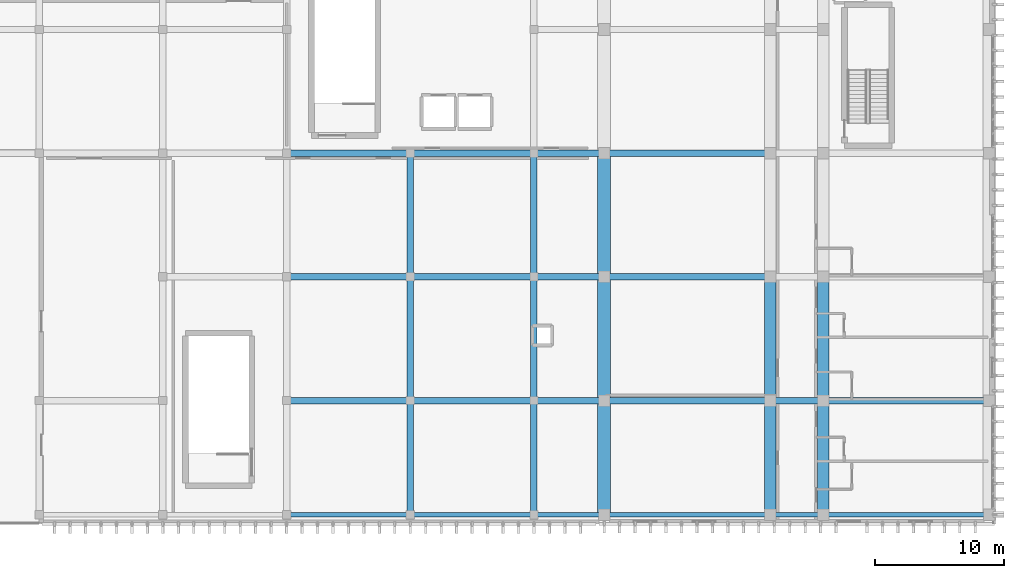
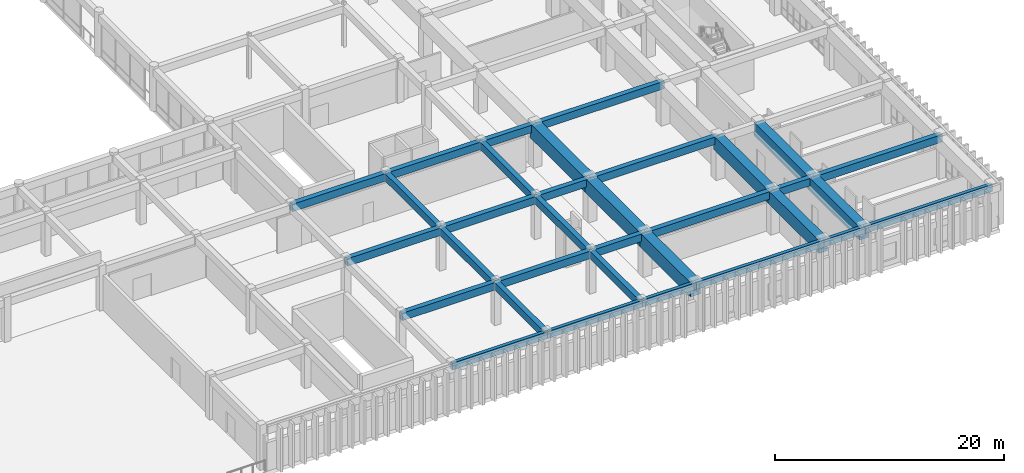
# One storey, part 32 of 101: 33 beams.
"""IFC4 building model written with IfcOpenShell, lengths in metres."""

from ifc_helpers import new_model, si_unit, direction, frame, origin, origin_2d, place, context, subcontext, project, spatial, rectangle, extrude, material, material_profile, profile_set, type_object, element, save


model = new_model("IFC4")

# Units and contexts
model_context = context("Model", 3, precision=1e-05, world=origin(), true_north=direction((0.0, 1.0)))
body_context = subcontext(model_context, "Body", "Model", "MODEL_VIEW")
ifc_project = project(units=[si_unit("LENGTHUNIT", "METRE"), si_unit("AREAUNIT", "SQUARE_METRE"), si_unit("VOLUMEUNIT", "CUBIC_METRE"), si_unit("PLANEANGLEUNIT", "RADIAN"), si_unit("MASSUNIT", "GRAM", prefix="KILO")], contexts=[model_context])

# Site, building, storey
site_placement = place(None, origin())
site = spatial("IfcSite", under=ifc_project, at=site_placement, CompositionType="ELEMENT")
building_placement = place(site_placement, origin())
building = spatial("IfcBuilding", under=site, at=building_placement, Name="Nakhvara Creek Congress Hotel", CompositionType="ELEMENT")
storey_placement = place(building_placement, frame((0.0, 0.0, 16.199951171875)))
storey = spatial("IfcBuildingStorey", under=building, at=storey_placement, Name="L03", CompositionType="ELEMENT", Elevation=16.199951171875)

# Beams
ifc_material_1 = material(Name="Concrete C40/50", Category="concrete")
ifc_material_profile_1 = material_profile(ifc_material_1, rectangle(XDim=0.5, YDim=0.800048828125, at=origin_2d()), Name="RC-BM 500x800", Category="LoadBearing")
ifc_profile_set_1 = profile_set([ifc_material_profile_1], Name="Concrete C40/50")
beam_type_1 = type_object("IfcBeamType", Name="BM-RC-500X800", PredefinedType="BEAM", material=ifc_profile_set_1)
for number, where, z_axis, x_axis, name in (
    (1, (124.800048828125, 9.60009765625, 4.14013671875), (1.0, 0.0, 0.0), (0.0, 1.0, 0.0), "Beam B03-L03-1767"),
    (2, (124.800048828125, 19.199951171875, 4.14013671875), (1.0, 0.0, 0.0), (0.0, 1.0, 0.0), "Beam B03-L03-1769"),
    (3, (124.800048828125, 28.800048828125, 4.14013671875), (1.0, 0.0, 0.0), (0.0, 1.0, 0.0), "Beam B03-L03-1771"),
):
    element("IfcBeam", number, at=place(storey_placement, frame(where, z_axis=z_axis, x_axis=x_axis)), inside=storey, type_object=beam_type_1, Name=name, PredefinedType="BEAM", context=body_context, shape_type="SweptSolid", body=[
        extrude(rectangle(XDim=0.5, YDim=0.800048828125, at=origin_2d()), origin(), (0.0, 0.0, 1.0), 9.599853515625),
    ])
beam_1_placement = place(storey_placement, frame((134.39990234375, 0.75, 4.14013671875), z_axis=(0.0, 1.0, 0.0), x_axis=(-1.0, 0.0, 0.0)))
element("IfcBeam", 4, at=beam_1_placement, inside=storey, type_object=beam_type_1, Name="Beam B03-L03-1785", PredefinedType="BEAM", context=body_context, shape_type="SweptSolid", body=[
    extrude(rectangle(XDim=0.5, YDim=0.800048828125, at=origin_2d()), origin(), (0.0, 0.0, 1.0), 8.85009765625),
])
beam_2_placement = place(storey_placement, frame((134.39990234375, 9.60009765625, 4.14013671875), z_axis=(0.0, 1.0, 0.0), x_axis=(-1.0, 0.0, 0.0)))
element("IfcBeam", 5, at=beam_2_placement, inside=storey, type_object=beam_type_1, Name="Beam B03-L03-1787", PredefinedType="BEAM", context=body_context, shape_type="SweptSolid", body=[
    extrude(rectangle(XDim=0.5, YDim=0.800048828125, at=origin_2d()), origin(), (0.0, 0.0, 1.0), 9.599853515625),
])
for number, where, z_axis, x_axis, name in (
    (6, (134.39990234375, 9.60009765625, 4.14013671875), (1.0, 0.0, 0.0), (0.0, 1.0, 0.0), "Beam B03-L03-1788"),
    (7, (134.39990234375, 19.199951171875, 4.14013671875), (0.0, 1.0, 0.0), (-1.0, 0.0, 0.0), "Beam B03-L03-1789"),
    (8, (134.39990234375, 19.199951171875, 4.14013671875), (1.0, 0.0, 0.0), (0.0, 1.0, 0.0), "Beam B03-L03-1790"),
    (9, (134.39990234375, 28.800048828125, 4.14013671875), (1.0, 0.0, 0.0), (0.0, 1.0, 0.0), "Beam B03-L03-1791"),
):
    element("IfcBeam", number, at=place(storey_placement, frame(where, z_axis=z_axis, x_axis=x_axis)), inside=storey, type_object=beam_type_1, Name=name, PredefinedType="BEAM", context=body_context, shape_type="SweptSolid", body=[
        extrude(rectangle(XDim=0.5, YDim=0.800048828125, at=origin_2d()), origin(), (0.0, 0.0, 1.0), 9.60009765625),
    ])
beam_3_placement = place(storey_placement, frame((144.0, 0.75, 4.14013671875), z_axis=(0.0, 1.0, 0.0), x_axis=(-1.0, 0.0, 0.0)))
element("IfcBeam", 10, at=beam_3_placement, inside=storey, type_object=beam_type_1, Name="Beam B03-L03-1801", PredefinedType="BEAM", context=body_context, shape_type="SweptSolid", body=[
    extrude(rectangle(XDim=0.5, YDim=0.800048828125, at=origin_2d()), origin(), (0.0, 0.0, 1.0), 8.85009765625),
])
beam_4_placement = place(storey_placement, frame((144.0, 9.60009765625, 4.14013671875), z_axis=(0.0, 1.0, 0.0), x_axis=(-1.0, 0.0, 0.0)))
element("IfcBeam", 11, at=beam_4_placement, inside=storey, type_object=beam_type_1, Name="Beam B03-L03-1803", PredefinedType="BEAM", context=body_context, shape_type="SweptSolid", body=[
    extrude(rectangle(XDim=0.5, YDim=0.800048828125, at=origin_2d()), origin(), (0.0, 0.0, 1.0), 9.599853515625),
])
beam_5_placement = place(storey_placement, frame((144.0, 9.60009765625, 4.14013671875), z_axis=(1.0, 0.0, 0.0), x_axis=(0.0, 1.0, 0.0)))
element("IfcBeam", 12, at=beam_5_placement, inside=storey, type_object=beam_type_1, Name="Beam B03-L03-1804", PredefinedType="BEAM", context=body_context, shape_type="SweptSolid", body=[
    extrude(rectangle(XDim=0.5, YDim=0.800048828125, at=origin_2d()), origin(), (0.0, 0.0, 1.0), 5.449951171875),
])
beam_6_placement = place(storey_placement, frame((144.0, 19.199951171875, 4.14013671875), z_axis=(0.0, 1.0, 0.0), x_axis=(-1.0, 0.0, 0.0)))
element("IfcBeam", 13, at=beam_6_placement, inside=storey, type_object=beam_type_1, Name="Beam B03-L03-1805", PredefinedType="BEAM", context=body_context, shape_type="SweptSolid", body=[
    extrude(rectangle(XDim=0.5, YDim=0.800048828125, at=origin_2d()), origin(), (0.0, 0.0, 1.0), 9.60009765625),
])
for number, where, z_axis, x_axis, name in (
    (14, (144.0, 19.199951171875, 4.14013671875), (1.0, 0.0, 0.0), (0.0, 1.0, 0.0), "Beam B03-L03-1806"),
    (15, (144.0, 28.800048828125, 4.14013671875), (1.0, 0.0, 0.0), (0.0, 1.0, 0.0), "Beam B03-L03-1808"),
):
    element("IfcBeam", number, at=place(storey_placement, frame(where, z_axis=z_axis, x_axis=x_axis)), inside=storey, type_object=beam_type_1, Name=name, PredefinedType="BEAM", context=body_context, shape_type="SweptSolid", body=[
        extrude(rectangle(XDim=0.5, YDim=0.800048828125, at=origin_2d()), origin(), (0.0, 0.0, 1.0), 5.449951171875),
    ])
for number, where, z_axis, x_axis, name in (
    (16, (149.449951171875, 9.60009765625, 4.14013671875), (1.0, 0.0, 0.0), (0.0, 1.0, 0.0), "Beam B03-L03-1822"),
    (17, (149.449951171875, 19.199951171875, 4.14013671875), (1.0, 0.0, 0.0), (0.0, 1.0, 0.0), "Beam B03-L03-1824"),
    (18, (149.449951171875, 28.800048828125, 4.14013671875), (1.0, 0.0, 0.0), (0.0, 1.0, 0.0), "Beam B03-L03-1826"),
):
    element("IfcBeam", number, at=place(storey_placement, frame(where, z_axis=z_axis, x_axis=x_axis)), inside=storey, type_object=beam_type_1, Name=name, PredefinedType="BEAM", context=body_context, shape_type="SweptSolid", body=[
        extrude(rectangle(XDim=0.5, YDim=0.800048828125, at=origin_2d()), origin(), (0.0, 0.0, 1.0), 12.900146484375),
    ])
beam_7_placement = place(storey_placement, frame((162.35009765625, 9.60009765625, 4.14013671875), z_axis=(1.0, 0.0, 0.0), x_axis=(0.0, 1.0, 0.0)))
element("IfcBeam", 19, at=beam_7_placement, inside=storey, type_object=beam_type_1, Name="Beam B03-L03-1847", PredefinedType="BEAM", context=body_context, shape_type="SweptSolid", body=[
    extrude(rectangle(XDim=0.5, YDim=0.800048828125, at=origin_2d()), origin(), (0.0, 0.0, 1.0), 4.099853515625),
])
beam_8_placement = place(storey_placement, frame((166.449951171875, 9.60009765625, 4.14013671875), z_axis=(1.0, 0.0, 0.0), x_axis=(0.0, 1.0, 0.0)))
element("IfcBeam", 20, at=beam_8_placement, inside=storey, type_object=beam_type_1, Name="Beam B03-L03-1874", PredefinedType="BEAM", context=body_context, shape_type="SweptSolid", body=[
    extrude(rectangle(XDim=0.5, YDim=0.800048828125, at=origin_2d()), origin(), (0.0, 0.0, 1.0), 12.900146484375),
])
ifc_material_profile_2 = material_profile(ifc_material_1, rectangle(XDim=0.35009765625, YDim=0.75, at=origin_2d()), Name="RC-SPANDREL 350x750", Category="LoadBearing")
ifc_profile_set_2 = profile_set([ifc_material_profile_2], Name="Concrete C40/50")
beam_type_2 = type_object("IfcBeamType", Name="BM-SPN-350X750", PredefinedType="SPANDREL", material=ifc_profile_set_2)
beam_9_placement = place(storey_placement, frame((124.800048828125, 0.75, 4.1650390625), z_axis=(1.0, 0.0, 0.0), x_axis=(0.0, 1.0, 0.0)))
element("IfcBeam", 21, at=beam_9_placement, inside=storey, type_object=beam_type_2, Name="Beam SP1-L03-1765", PredefinedType="SPANDREL", context=body_context, shape_type="SweptSolid", body=[
    extrude(rectangle(XDim=0.35009765625, YDim=0.75, at=origin_2d()), origin(), (0.0, 0.0, 1.0), 9.599853515625),
])
beam_10_placement = place(storey_placement, frame((134.39990234375, 0.75, 4.1650390625), z_axis=(1.0, 0.0, 0.0), x_axis=(0.0, 1.0, 0.0)))
element("IfcBeam", 22, at=beam_10_placement, inside=storey, type_object=beam_type_2, Name="Beam SP1-L03-1786", PredefinedType="SPANDREL", context=body_context, shape_type="SweptSolid", body=[
    extrude(rectangle(XDim=0.35009765625, YDim=0.75, at=origin_2d()), origin(), (0.0, 0.0, 1.0), 9.60009765625),
])
beam_11_placement = place(storey_placement, frame((144.0, 0.75, 4.1650390625), z_axis=(1.0, 0.0, 0.0), x_axis=(0.0, 1.0, 0.0)))
element("IfcBeam", 23, at=beam_11_placement, inside=storey, type_object=beam_type_2, Name="Beam SP1-L03-1802", PredefinedType="SPANDREL", context=body_context, shape_type="SweptSolid", body=[
    extrude(rectangle(XDim=0.35009765625, YDim=0.75, at=origin_2d()), origin(), (0.0, 0.0, 1.0), 5.449951171875),
])
beam_12_placement = place(storey_placement, frame((149.449951171875, 0.75, 4.1650390625), z_axis=(1.0, 0.0, 0.0), x_axis=(0.0, 1.0, 0.0)))
element("IfcBeam", 24, at=beam_12_placement, inside=storey, type_object=beam_type_2, Name="Beam SP1-L03-1820", PredefinedType="SPANDREL", context=body_context, shape_type="SweptSolid", body=[
    extrude(rectangle(XDim=0.35009765625, YDim=0.75, at=origin_2d()), origin(), (0.0, 0.0, 1.0), 12.900146484375),
])
beam_13_placement = place(storey_placement, frame((162.35009765625, 0.75, 4.1650390625), z_axis=(1.0, 0.0, 0.0), x_axis=(0.0, 1.0, 0.0)))
element("IfcBeam", 25, at=beam_13_placement, inside=storey, type_object=beam_type_2, Name="Beam SP1-L03-1845", PredefinedType="SPANDREL", context=body_context, shape_type="SweptSolid", body=[
    extrude(rectangle(XDim=0.35009765625, YDim=0.75, at=origin_2d()), origin(), (0.0, 0.0, 1.0), 4.099853515625),
])
beam_14_placement = place(storey_placement, frame((166.449951171875, 0.75, 4.1650390625), z_axis=(1.0, 0.0, 0.0), x_axis=(0.0, 1.0, 0.0)))
element("IfcBeam", 26, at=beam_14_placement, inside=storey, type_object=beam_type_2, Name="Beam SP1-L03-1872", PredefinedType="SPANDREL", context=body_context, shape_type="SweptSolid", body=[
    extrude(rectangle(XDim=0.35009765625, YDim=0.75, at=origin_2d()), origin(), (0.0, 0.0, 1.0), 12.900146484375),
])
ifc_material_2 = material(Name="Concrete C50/60", Category="concrete")
ifc_material_profile_3 = material_profile(ifc_material_2, rectangle(XDim=0.89990234375, YDim=1.39990234375, at=origin_2d()), Name="RC-TG 900x1400", Category="LoadBearing")
ifc_profile_set_3 = profile_set([ifc_material_profile_3], Name="Concrete C50/60")
beam_type_3 = type_object("IfcBeamType", Name="BM-TG1-1400", PredefinedType="BEAM", material=ifc_profile_set_3)
beam_15_placement = place(storey_placement, frame((162.35009765625, 0.75, 3.840087890625), z_axis=(0.0, 1.0, 0.0), x_axis=(-1.0, 0.0, 0.0)))
element("IfcBeam", 27, at=beam_15_placement, inside=storey, type_object=beam_type_3, Name="Transfer Girder TG1-L03-1844", PredefinedType="BEAM", context=body_context, shape_type="SweptSolid", body=[
    extrude(rectangle(XDim=0.89990234375, YDim=1.39990234375, at=origin_2d()), origin(), (0.0, 0.0, 1.0), 8.85009765625),
])
beam_16_placement = place(storey_placement, frame((162.35009765625, 9.60009765625, 3.840087890625), z_axis=(0.0, 1.0, 0.0), x_axis=(-1.0, 0.0, 0.0)))
element("IfcBeam", 28, at=beam_16_placement, inside=storey, type_object=beam_type_3, Name="Transfer Girder TG1-L03-1846", PredefinedType="BEAM", context=body_context, shape_type="SweptSolid", body=[
    extrude(rectangle(XDim=0.89990234375, YDim=1.39990234375, at=origin_2d()), origin(), (0.0, 0.0, 1.0), 9.599853515625),
])
beam_17_placement = place(storey_placement, frame((166.449951171875, 0.75, 3.840087890625), z_axis=(0.0, 1.0, 0.0), x_axis=(-1.0, 0.0, 0.0)))
element("IfcBeam", 29, at=beam_17_placement, inside=storey, type_object=beam_type_3, Name="Transfer Girder TG1-L03-1871", PredefinedType="BEAM", context=body_context, shape_type="SweptSolid", body=[
    extrude(rectangle(XDim=0.89990234375, YDim=1.39990234375, at=origin_2d()), origin(), (0.0, 0.0, 1.0), 8.85009765625),
])
beam_18_placement = place(storey_placement, frame((166.449951171875, 9.60009765625, 3.840087890625), z_axis=(0.0, 1.0, 0.0), x_axis=(-1.0, 0.0, 0.0)))
element("IfcBeam", 30, at=beam_18_placement, inside=storey, type_object=beam_type_3, Name="Transfer Girder TG1-L03-1873", PredefinedType="BEAM", context=body_context, shape_type="SweptSolid", body=[
    extrude(rectangle(XDim=0.89990234375, YDim=1.39990234375, at=origin_2d()), origin(), (0.0, 0.0, 1.0), 9.599853515625),
])
ifc_material_profile_4 = material_profile(ifc_material_2, rectangle(XDim=1.0, YDim=1.5, at=origin_2d()), Name="RC-TG 1000x1500", Category="LoadBearing")
ifc_profile_set_4 = profile_set([ifc_material_profile_4], Name="Concrete C50/60")
beam_type_4 = type_object("IfcBeamType", Name="BM-TG2-1500", PredefinedType="BEAM", material=ifc_profile_set_4)
beam_19_placement = place(storey_placement, frame((149.449951171875, 0.75, 3.7900390625), z_axis=(0.0, 1.0, 0.0), x_axis=(-1.0, 0.0, 0.0)))
element("IfcBeam", 31, at=beam_19_placement, inside=storey, type_object=beam_type_4, Name="Transfer Girder TG2-L03-1819", PredefinedType="BEAM", context=body_context, shape_type="SweptSolid", body=[
    extrude(rectangle(XDim=1.0, YDim=1.5, at=origin_2d()), origin(), (0.0, 0.0, 1.0), 8.85009765625),
])
beam_20_placement = place(storey_placement, frame((149.449951171875, 9.60009765625, 3.7900390625), z_axis=(0.0, 1.0, 0.0), x_axis=(-1.0, 0.0, 0.0)))
element("IfcBeam", 32, at=beam_20_placement, inside=storey, type_object=beam_type_4, Name="Transfer Girder TG2-L03-1821", PredefinedType="BEAM", context=body_context, shape_type="SweptSolid", body=[
    extrude(rectangle(XDim=1.0, YDim=1.5, at=origin_2d()), origin(), (0.0, 0.0, 1.0), 9.599853515625),
])
beam_21_placement = place(storey_placement, frame((149.449951171875, 19.199951171875, 3.7900390625), z_axis=(0.0, 1.0, 0.0), x_axis=(-1.0, 0.0, 0.0)))
element("IfcBeam", 33, at=beam_21_placement, inside=storey, type_object=beam_type_4, Name="Transfer Girder TG2-L03-1823", PredefinedType="BEAM", context=body_context, shape_type="SweptSolid", body=[
    extrude(rectangle(XDim=1.0, YDim=1.5, at=origin_2d()), origin(), (0.0, 0.0, 1.0), 9.60009765625),
])

save(model, "model.ifc")
